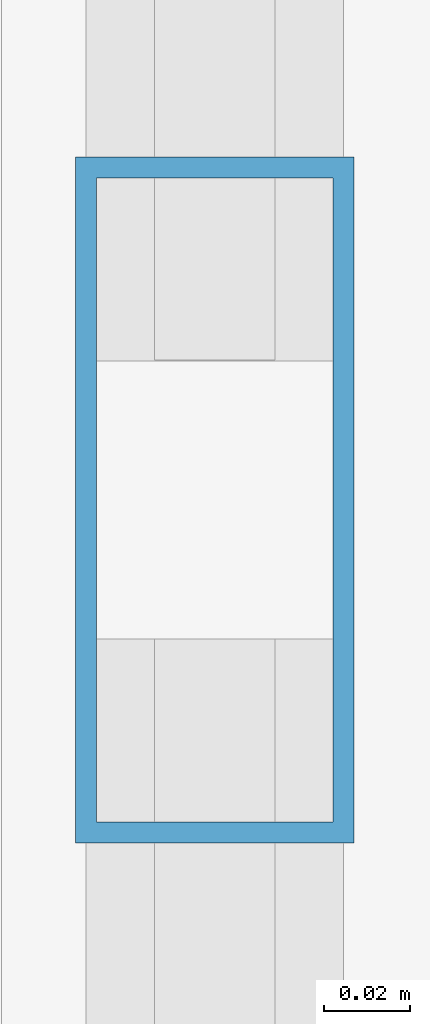
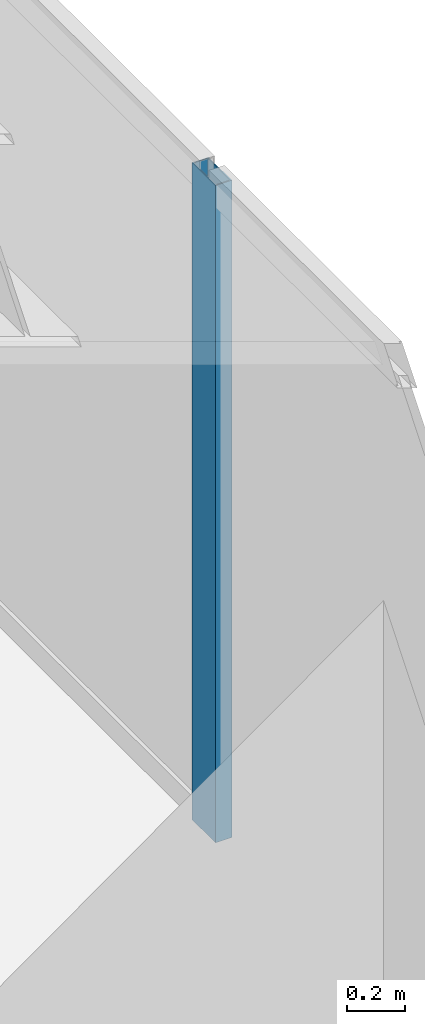
# One storey, part 11 of 27: 1 member, 1 element without a shape of its own.
"""IFC4 building model written with IfcOpenShell, lengths in metres."""

from ifc_helpers import new_model, si_unit, direction, frame, origin, origin_2d, place, context, subcontext, project, spatial, hollow_rectangle, extrude, source, transform, mapped, material, layer, layer_set, material_profile, profile_set, type_object, element, aggregate, save


model = new_model("IFC4")

# Units and contexts
model_context = context("Model", 3, precision=1e-05, world=origin(), true_north=direction((0.0, 1.0)))
body_context = subcontext(model_context, "Body", "Model", "MODEL_VIEW")
ifc_project = project(units=[si_unit("LENGTHUNIT", "METRE"), si_unit("AREAUNIT", "SQUARE_METRE"), si_unit("VOLUMEUNIT", "CUBIC_METRE"), si_unit("PLANEANGLEUNIT", "RADIAN"), si_unit("MASSUNIT", "GRAM", prefix="KILO")], contexts=[model_context])

# Site, building, storey
site_placement = place(None, origin())
site = spatial("IfcSite", under=ifc_project, at=site_placement, CompositionType="ELEMENT")
building_placement = place(site_placement, origin())
building = spatial("IfcBuilding", under=site, at=building_placement, Name="Sumidabori Civic Tower", CompositionType="ELEMENT")
storey_placement = place(building_placement, frame((0.0, 0.0, 135.199951171875)))
storey = spatial("IfcBuildingStorey", under=building, at=storey_placement, Name="L34", CompositionType="ELEMENT", Elevation=135.199951171875)

# Curtain wall, member
ifc_material = material(Name="Anodised Bronze Aluminium AW-6063-T6", Category="aluminium")
ifc_layer = layer(ifc_material, 0.179931640625, Name="Anodised Bronze Aluminium AW-6063-T6")
ifc_layer_set = layer_set([ifc_layer], Name="Anodised Bronze Aluminium AW-6063-T6")
curtain_wall_type = type_object("IfcCurtainWallType", Name="CW-SYS-3", PredefinedType="NOTDEFINED", material=ifc_layer_set)
curtain_wall_placement = place(storey_placement, origin())
curtain_wall = element("IfcCurtainWall", 1, at=curtain_wall_placement, inside=storey, type_object=curtain_wall_type, Name="Curtain Wall CW:L34:R04", PredefinedType="NOTDEFINED")
ifc_material_profile = material_profile(ifc_material, hollow_rectangle(XDim=0.06494140625, YDim=0.159912109375, WallThickness=0.0048828125, at=origin_2d()), Name="ALU MULLION 160x65")
ifc_profile_set = profile_set([ifc_material_profile], Name="Anodised Bronze Aluminium AW-6063-T6")
member_type = type_object("IfcMemberType", Name="CW-MUL-160", PredefinedType="MULLION", material=ifc_profile_set)
shared_shape = source(origin(), body_context, "Body", "SweptSolid", [
    extrude(hollow_rectangle(XDim=0.06494140625, YDim=0.159912109375, WallThickness=0.0048828125, at=origin_2d()), origin(), (0.0, 0.0, 1.0), 2.760009765625),
])
member_placement = place(storey_placement, frame((23.8798828125, -8.3349609375, 0.0), z_axis=(0.0, 0.0, 1.0), x_axis=(-1.0, 0.0, 0.0)))
member = element("IfcMember", 2, at=member_placement, type_object=member_type, Name="CW-3 mullion 2", PredefinedType="MULLION", context=body_context, shape_type="MappedRepresentation", body=[
    mapped(shared_shape, transform((0.0, 0.0, 0.0), x_axis=(1.0, 0.0, 0.0), y_axis=(0.0, 1.0, 0.0), z_axis=(0.0, 0.0, 1.0), scale=1.0)),
])
aggregate(curtain_wall, [member])

save(model, "model.ifc")
